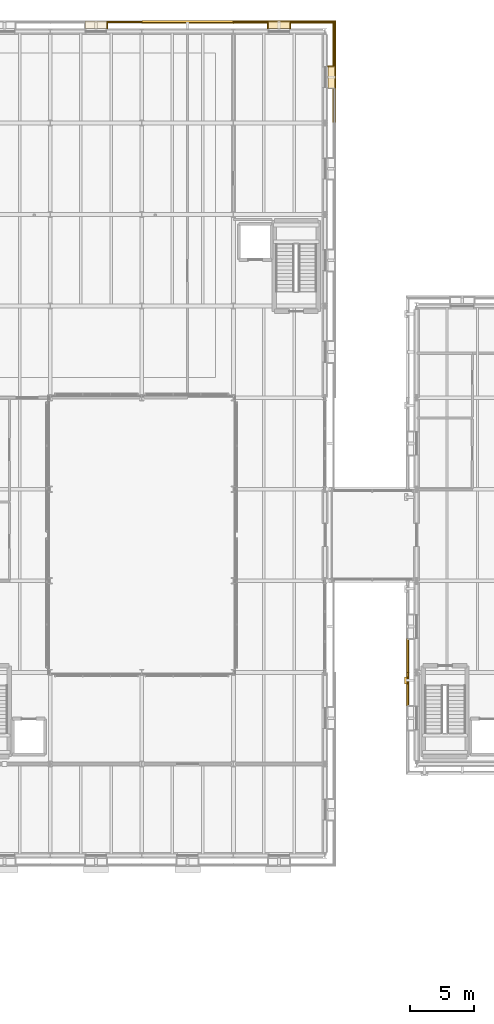
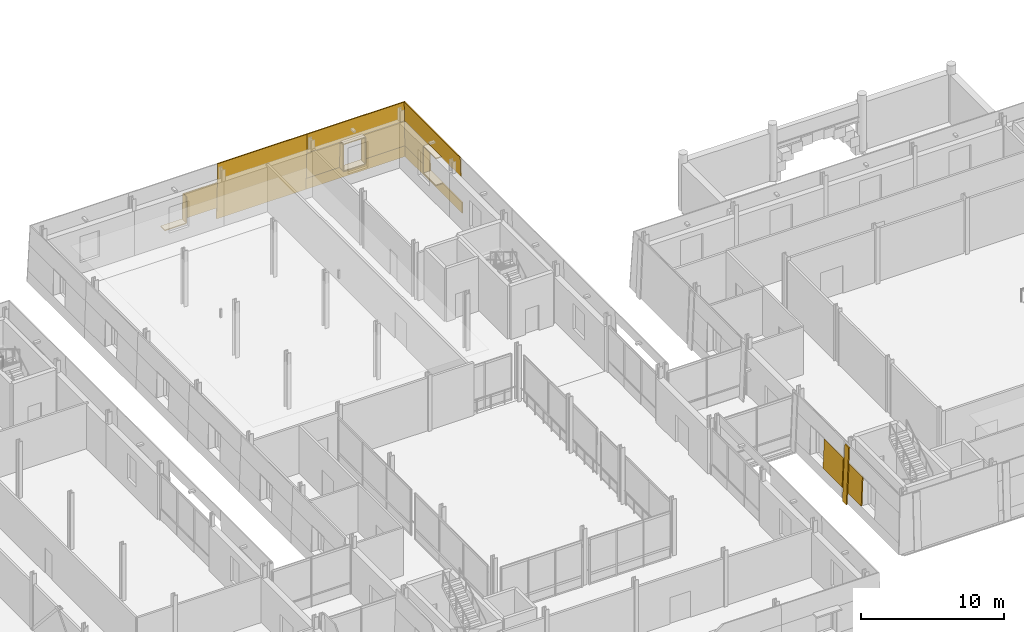
# One storey, part 112 of 121: 21 coverings.
"""IFC4 building model written with IfcOpenShell, lengths in metres."""

from ifc_helpers import new_model, si_unit, direction, frame, origin, place, context, subcontext, project, spatial, polyline, outline, extrude, material, layer, layer_set, type_object, element, save


model = new_model("IFC4")

# Units and contexts
model_context = context("Model", 3, precision=1e-05, world=origin(), true_north=direction((0.0, 1.0)))
body_context = subcontext(model_context, "Body", "Model", "MODEL_VIEW")
ifc_project = project(units=[si_unit("LENGTHUNIT", "METRE"), si_unit("AREAUNIT", "SQUARE_METRE"), si_unit("VOLUMEUNIT", "CUBIC_METRE"), si_unit("PLANEANGLEUNIT", "RADIAN"), si_unit("MASSUNIT", "GRAM", prefix="KILO")], contexts=[model_context])

# Site, building, storey
site_placement = place(None, origin())
site = spatial("IfcSite", under=ifc_project, at=site_placement, CompositionType="ELEMENT")
building_placement = place(site_placement, origin())
building = spatial("IfcBuilding", under=site, at=building_placement, Name="Narikvali Park Central Library", CompositionType="ELEMENT")
storey_placement = place(building_placement, frame((0.0, 0.0, 5.39990234375)))
storey = spatial("IfcBuildingStorey", under=building, at=storey_placement, Name="L01", CompositionType="ELEMENT", Elevation=5.39990234375)

# Coverings
ifc_material = material(Name="White Honed Limestone Cladding", Category="masonry")
ifc_layer_1 = layer(ifc_material, 0.0849609375, Name="White Honed Limestone Cladding")
ifc_layer_set_1 = layer_set([ifc_layer_1], Name="White Honed Limestone Cladding")
covering_type_1 = type_object("IfcCoveringType", Name="Battered White Limestone Facade Cladding Panel", PredefinedType="CLADDING", material=ifc_layer_set_1)
covering_1_placement = place(storey_placement, frame((64.017822265625, 67.4599609375, 0.900146484375), z_axis=(-0.999162330053, 0.0, 0.040922343563), x_axis=(0.0, -1.0, 0.0)))
element("IfcCovering", 1, at=covering_1_placement, inside=storey, type_object=covering_type_1, Name="V1 L01 W Battered Limestone Jamb Pier R B04", PredefinedType="CLADDING", context=body_context, shape_type="SweptSolid", body=[
    extrude(outline(polyline([(0.0, 0.0), (2.659912109375, 0.0), (2.659912109375, 2.4520051428926064), (0.0, 2.4520051428926064), (0.0, 0.0)])), origin(), (0.0, 0.0, -1.0), 0.0849609375),
])
covering_2_placement = place(storey_placement, frame((63.841064453125, 64.449951171875, 0.0), z_axis=(-0.9991649228, 0.0, 0.040858989773), x_axis=(0.0, -1.0, 0.0)))
element("IfcCovering", 2, at=covering_2_placement, inside=storey, type_object=covering_type_1, Name="V1 L01 W Classical Limestone Pilaster B05", PredefinedType="CLADDING", context=body_context, shape_type="SweptSolid", body=[
    extrude(outline(polyline([(0.0, 0.0), (0.550048828125, 0.0), (0.550048828125, 4.804060589588907), (0.0, 4.804060589588907), (0.0, 0.0)])), origin(), (0.0, 0.0, -1.0), 0.0849609375),
])
covering_3_placement = place(storey_placement, frame((64.017822265625, 64.800048828125, 0.900146484375), z_axis=(-0.999162330053, 0.0, 0.040922343563), x_axis=(0.0, -1.0, 0.0)))
element("IfcCovering", 3, at=covering_3_placement, inside=storey, type_object=covering_type_1, Name="V1 L01 W Battered Limestone Jamb Pier L B05", PredefinedType="CLADDING", context=body_context, shape_type="SweptSolid", body=[
    extrude(outline(polyline([(0.0, 0.0), (2.66015625, 0.0), (2.66015625, 2.452005142892606), (0.0, 2.452005142892606), (0.0, 0.0)])), origin(), (0.0, 0.0, -1.0), 0.0849609375),
])
covering_4_placement = place(storey_placement, frame((58.4580078125, 108.0, 0.0), z_axis=(0.999434023877, 0.0, 0.033639737186), x_axis=(0.0, 1.0, 0.0)))
element("IfcCovering", 4, at=covering_4_placement, inside=storey, type_object=covering_type_1, Name="V4 L01 E Battered Limestone Spandrel B09", PredefinedType="CLADDING", context=body_context, shape_type="SweptSolid", body=[
    extrude(outline(polyline([(0.0, 0.0), (7.97314453125, 0.0), (7.941162109375, 0.9507334049069504), (0.0, 0.9507334049069504), (0.0, 0.0)])), origin(), (0.0, 0.0, -1.0), 0.0849609375),
])
covering_5_placement = place(storey_placement, frame((58.35205078125, 108.0, 3.150146484375), z_axis=(0.999431366072, 0.0, 0.033718607793), x_axis=(0.0, 1.0, 0.0)))
element("IfcCovering", 5, at=covering_5_placement, inside=storey, type_object=covering_type_1, Name="V4 L01 E Battered Limestone Lintel B09", PredefinedType="CLADDING", context=body_context, shape_type="SweptSolid", body=[
    extrude(outline(polyline([(0.0, 0.0), (7.866943359375, 0.0), (7.811279296875, 1.6508410679910248), (0.0, 1.6508410679910248), (0.0, 0.0)])), origin(), (0.0, 0.0, -1.0), 0.0849609375),
])
covering_6_placement = place(storey_placement, frame((58.426025390625, 112.43994140625, 0.9501953125), z_axis=(0.999435139525, 0.0, 0.033606574995), x_axis=(0.0, 1.0, 0.0)))
element("IfcCovering", 6, at=covering_6_placement, inside=storey, type_object=covering_type_1, Name="V4 L01 E Battered Limestone Jamb Pier R B09", PredefinedType="CLADDING", context=body_context, shape_type="SweptSolid", body=[
    extrude(outline(polyline([(0.0, 0.0), (3.501220703125, 0.0), (3.427001953125, 2.2011945396684887), (0.0, 2.2011945396684887), (0.0, 0.0)])), origin(), (0.0, 0.0, -1.0), 0.0849609375),
])
covering_7_placement = place(storey_placement, frame((58.4580078125, 116.05810546875, 0.0), z_axis=(0.0, 0.999434023877, 0.033639737186), x_axis=(-1.0, 0.0, 0.0)))
element("IfcCovering", 7, at=covering_7_placement, inside=storey, type_object=covering_type_1, Name="V4 L01 N Battered Limestone Spandrel B01", PredefinedType="CLADDING", context=body_context, shape_type="SweptSolid", body=[
    extrude(outline(polyline([(0.0, 0.0), (8.05810546875, 0.0), (8.05810546875, 0.9507334049069504), (0.031982421875, 0.9507334049069504), (0.0, 0.0)])), origin(), (0.0, 0.0, -1.0), 0.0849609375),
])
covering_8_placement = place(storey_placement, frame((58.35205078125, 115.951904296875, 3.150146484375), z_axis=(0.0, 0.999436338943, 0.0335708862), x_axis=(-1.0, 0.0, 0.0)))
element("IfcCovering", 8, at=covering_8_placement, inside=storey, type_object=covering_type_1, Name="V4 L01 N Battered Limestone Lintel B01", PredefinedType="CLADDING", context=body_context, shape_type="SweptSolid", body=[
    extrude(outline(polyline([(0.0, 0.0), (7.9521484375, 0.0), (7.9521484375, 1.65083285394142), (0.0556640625, 1.65083285394142), (0.0, 0.0)])), origin(), (0.0, 0.0, -1.0), 0.0849609375),
])
covering_9_placement = place(storey_placement, frame((58.426025390625, 116.026123046875, 0.9501953125), z_axis=(0.0, 0.999431408105, 0.033717361898), x_axis=(-1.0, 0.0, 0.0)))
element("IfcCovering", 9, at=covering_9_placement, inside=storey, type_object=covering_type_1, Name="V4 L01 N Battered Limestone Jamb Pier L B01", PredefinedType="CLADDING", context=body_context, shape_type="SweptSolid", body=[
    extrude(outline(polyline([(0.0, 0.0), (3.5859375, 0.0), (3.5859375, 2.2012027579225295), (0.073974609375, 2.2012027579225295), (0.0, 0.0)])), origin(), (0.0, 0.0, -1.0), 0.0849609375),
])
covering_10_placement = place(storey_placement, frame((53.159912109375, 116.026123046875, 0.9501953125), z_axis=(0.0, 0.999431408105, 0.033717361898), x_axis=(-1.0, 0.0, 0.0)))
element("IfcCovering", 10, at=covering_10_placement, inside=storey, type_object=covering_type_1, Name="V4 L01 N Battered Limestone Jamb Pier R B01", PredefinedType="CLADDING", context=body_context, shape_type="SweptSolid", body=[
    extrude(outline(polyline([(0.0, 0.0), (2.760009765625, 0.0), (2.760009765625, 2.2012027579225295), (0.0, 2.2012027579225295), (0.0, 0.0)])), origin(), (0.0, 0.0, -1.0), 0.0849609375),
])
covering_11_placement = place(storey_placement, frame((50.39990234375, 116.05810546875, 0.0), z_axis=(0.0, 0.99943362289, 0.033651648357), x_axis=(-1.0, 0.0, 0.0)))
element("IfcCovering", 11, at=covering_11_placement, inside=storey, type_object=covering_type_1, Name="V4 L01 N Battered Limestone Panel B02", PredefinedType="CLADDING", context=body_context, shape_type="SweptSolid", body=[
    extrude(outline(polyline([(0.0, 0.0), (7.199951171875, 0.0), (7.199951171875, 4.802769006555399), (0.0, 4.802769006555399), (0.0, 0.0)])), origin(), (0.0, 0.0, -1.0), 0.0849609375),
])
covering_12_placement = place(storey_placement, frame((43.199951171875, 116.026123046875, 0.9501953125), z_axis=(0.0, 0.999431408105, 0.033717361898), x_axis=(-1.0, 0.0, 0.0)))
element("IfcCovering", 12, at=covering_12_placement, inside=storey, type_object=covering_type_1, Name="V4 L01 N Battered Limestone Jamb Pier L B03", PredefinedType="CLADDING", context=body_context, shape_type="SweptSolid", body=[
    extrude(outline(polyline([(0.0, 0.0), (2.760009765625, 0.0), (2.760009765625, 2.2012027579225295), (0.0, 2.2012027579225295), (0.0, 0.0)])), origin(), (0.0, 0.0, -1.0), 0.0849609375),
])
ifc_layer_2 = layer(ifc_material, 0.080078125, Name="White Honed Limestone Cladding")
ifc_layer_set_2 = layer_set([ifc_layer_2], Name="White Honed Limestone Cladding")
covering_type_2 = type_object("IfcCoveringType", Name="Deep Carved White Limestone Window Reveal", PredefinedType="CLADDING", material=ifc_layer_set_2)
covering_13_placement = place(storey_placement, frame((0.0, 0.0, 3.150146484375)))
element("IfcCovering", 13, at=covering_13_placement, inside=storey, type_object=covering_type_2, Name="Deep Stone Reveal Head V4-RVL-L01-E-B09", PredefinedType="CLADDING", context=body_context, shape_type="SweptSolid", body=[
    extrude(outline(polyline([(57.824951171875, 110.719970703125), (57.824951171875, 112.47998046875), (58.35205078125, 112.47998046875), (58.35205078125, 110.719970703125), (57.824951171875, 110.719970703125)])), origin(), (0.0, 0.0, 1.0), 0.079833984375),
])
covering_14_placement = place(storey_placement, frame((0.0, 0.0, 0.8701171875)))
element("IfcCovering", 14, at=covering_14_placement, inside=storey, type_object=covering_type_2, Name="Deep Stone Reveal Sill V4-RVL-L01-E-B09", PredefinedType="CLADDING", context=body_context, shape_type="SweptSolid", body=[
    extrude(outline(polyline([(57.824951171875, 110.719970703125), (57.824951171875, 112.47998046875), (58.426025390625, 112.47998046875), (58.426025390625, 110.719970703125), (57.824951171875, 110.719970703125)])), origin(), (0.0, 0.0, 1.0), 0.080078125),
])
covering_15_placement = place(storey_placement, frame((0.0, 0.0, 0.9501953125)))
element("IfcCovering", 15, at=covering_15_placement, inside=storey, type_object=covering_type_2, Name="Deep Stone Reveal Jamb R V4-RVL-L01-E-B09", PredefinedType="CLADDING", context=body_context, shape_type="SweptSolid", body=[
    extrude(outline(polyline([(57.824951171875, 112.43994140625), (57.824951171875, 112.52001953125), (58.35205078125, 112.52001953125), (58.35205078125, 112.43994140625), (57.824951171875, 112.43994140625)])), origin(), (0.0, 0.0, 1.0), 2.199951171875),
])
covering_16_placement = place(storey_placement, frame((0.0, 0.0, 3.150146484375)))
element("IfcCovering", 16, at=covering_16_placement, inside=storey, type_object=covering_type_2, Name="Deep Stone Reveal Head V4-RVL-L01-N-B01", PredefinedType="CLADDING", context=body_context, shape_type="SweptSolid", body=[
    extrude(outline(polyline([(54.8798828125, 115.425048828125), (53.1201171875, 115.425048828125), (53.1201171875, 115.951904296875), (54.8798828125, 115.951904296875), (54.8798828125, 115.425048828125)])), origin(), (0.0, 0.0, 1.0), 0.079833984375),
])
covering_17_placement = place(storey_placement, frame((0.0, 0.0, 0.8701171875)))
element("IfcCovering", 17, at=covering_17_placement, inside=storey, type_object=covering_type_2, Name="Deep Stone Reveal Sill V4-RVL-L01-N-B01", PredefinedType="CLADDING", context=body_context, shape_type="SweptSolid", body=[
    extrude(outline(polyline([(54.8798828125, 115.425048828125), (53.1201171875, 115.425048828125), (53.1201171875, 116.026123046875), (54.8798828125, 116.026123046875), (54.8798828125, 115.425048828125)])), origin(), (0.0, 0.0, 1.0), 0.080078125),
])
covering_18_placement = place(storey_placement, frame((0.0, 0.0, 0.9501953125)))
element("IfcCovering", 18, at=covering_18_placement, inside=storey, type_object=covering_type_2, Name="Deep Stone Reveal Jamb L V4-RVL-L01-N-B01", PredefinedType="CLADDING", context=body_context, shape_type="SweptSolid", body=[
    extrude(outline(polyline([(54.919921875, 115.425048828125), (54.840087890625, 115.425048828125), (54.840087890625, 115.951904296875), (54.919921875, 115.951904296875), (54.919921875, 115.425048828125)])), origin(), (0.0, 0.0, 1.0), 2.199951171875),
])
covering_19_placement = place(storey_placement, frame((0.0, 0.0, 0.9501953125)))
element("IfcCovering", 19, at=covering_19_placement, inside=storey, type_object=covering_type_2, Name="Deep Stone Reveal Jamb R V4-RVL-L01-N-B01", PredefinedType="CLADDING", context=body_context, shape_type="SweptSolid", body=[
    extrude(outline(polyline([(53.159912109375, 115.425048828125), (53.080078125, 115.425048828125), (53.080078125, 115.951904296875), (53.159912109375, 115.951904296875), (53.159912109375, 115.425048828125)])), origin(), (0.0, 0.0, 1.0), 2.199951171875),
])
covering_20_placement = place(storey_placement, frame((0.0, 0.0, 0.8701171875)))
element("IfcCovering", 20, at=covering_20_placement, inside=storey, type_object=covering_type_2, Name="Deep Stone Reveal Sill V4-RVL-L01-N-B03", PredefinedType="CLADDING", context=body_context, shape_type="SweptSolid", body=[
    extrude(outline(polyline([(40.47998046875, 115.425048828125), (38.719970703125, 115.425048828125), (38.719970703125, 116.026123046875), (40.47998046875, 116.026123046875), (40.47998046875, 115.425048828125)])), origin(), (0.0, 0.0, 1.0), 0.080078125),
])
covering_21_placement = place(storey_placement, frame((0.0, 0.0, 0.9501953125)))
element("IfcCovering", 21, at=covering_21_placement, inside=storey, type_object=covering_type_2, Name="Deep Stone Reveal Jamb L V4-RVL-L01-N-B03", PredefinedType="CLADDING", context=body_context, shape_type="SweptSolid", body=[
    extrude(outline(polyline([(40.52001953125, 115.425048828125), (40.43994140625, 115.425048828125), (40.43994140625, 115.951904296875), (40.52001953125, 115.951904296875), (40.52001953125, 115.425048828125)])), origin(), (0.0, 0.0, 1.0), 2.199951171875),
])

save(model, "model.ifc")
